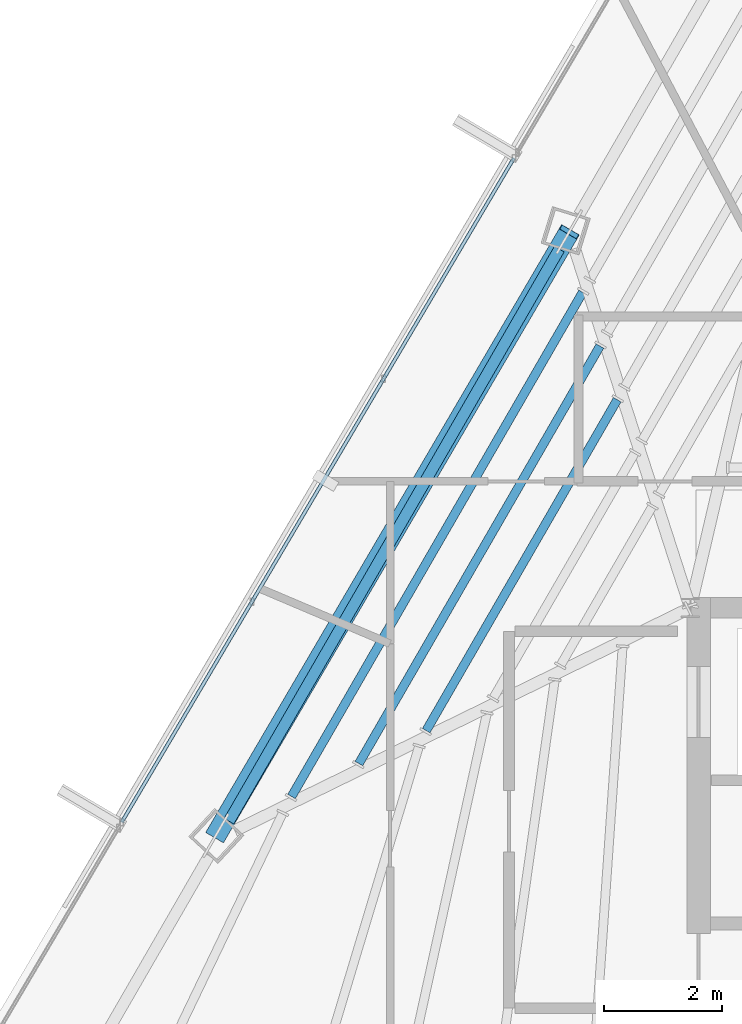
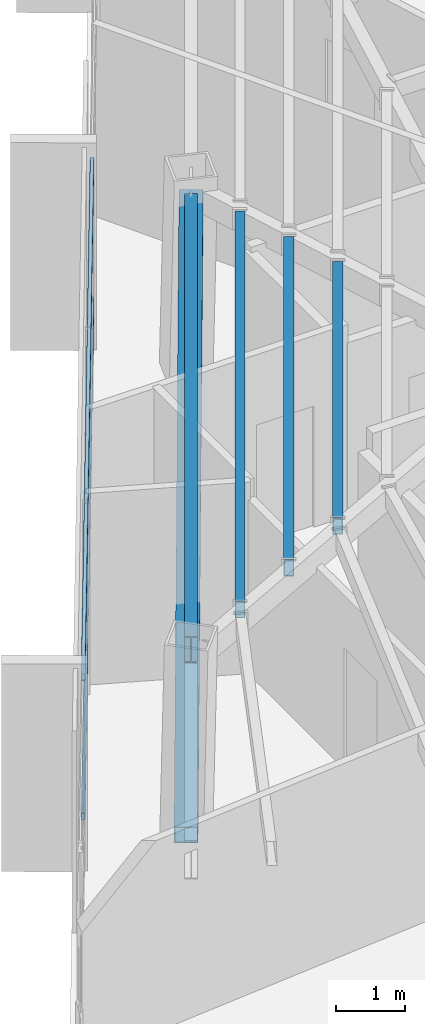
# One storey, part 16 of 45: 4 beams, 3 members, 1 element without a shape of its own.
"""IFC4 building model written with IfcOpenShell, lengths in metres."""

from ifc_helpers import new_model, si_unit, direction, frame, origin, origin_2d, place, context, subcontext, project, spatial, hollow_rectangle, i_section, extrude, source, transform, mapped, material, material_profile, profile_set, type_object, type_shapes, element, aggregate, save


model = new_model("IFC4")

# Units and contexts
model_context = context("Model", 3, precision=1e-05, world=origin(), true_north=direction((0.0, 1.0)))
body_context = subcontext(model_context, "Body", "Model", "MODEL_VIEW")
ifc_project = project(units=[si_unit("LENGTHUNIT", "METRE"), si_unit("AREAUNIT", "SQUARE_METRE"), si_unit("VOLUMEUNIT", "CUBIC_METRE"), si_unit("PLANEANGLEUNIT", "RADIAN"), si_unit("MASSUNIT", "GRAM", prefix="KILO")], contexts=[model_context])

# Site, building, storey
site_placement = place(None, origin())
site = spatial("IfcSite", under=ifc_project, at=site_placement, CompositionType="ELEMENT")
building_placement = place(site_placement, origin())
building = spatial("IfcBuilding", under=site, at=building_placement, Name="Caelisora Broadcast Tower", CompositionType="ELEMENT")
storey_placement = place(building_placement, frame((0.0, 0.0, 262.699951171875)))
storey = spatial("IfcBuildingStorey", under=building, at=storey_placement, Name="L69", CompositionType="ELEMENT", Elevation=262.699951171875)

# Beams
ifc_material_1 = material(Name="Steel Grade 350 (AS/NZS 3679.1)", Category="steel")
ifc_material_profile_1 = material_profile(ifc_material_1, i_section(OverallWidth=0.19091796875, OverallDepth=0.46044921875, WebThickness=0.010009765625, FlangeThickness=0.01611328125, at=origin_2d()), Name="Steel Grade 350 (AS/NZS 3679.1)")
ifc_profile_set_1 = profile_set([ifc_material_profile_1], Name="Steel Grade 350 (AS/NZS 3679.1)")
beam_type_1 = type_object("IfcBeamType", Name="PG06", PredefinedType="BEAM", material=ifc_profile_set_1)
shared_shape_1 = source(origin(), body_context, "Body", "SweptSolid", [
    extrude(i_section(OverallWidth=0.19091796875, OverallDepth=0.46044921875, WebThickness=0.010009765625, FlangeThickness=0.01611328125, at=origin_2d()), origin(), (0.0, 0.0, 1.0), 11.22265625),
])
type_shapes(beam_type_1, [shared_shape_1])
beam_1_placement = place(storey_placement, frame((28.2734375, 36.094970703125, 3.169921875), z_axis=(-0.500004293243, -0.866022925065, 0.0), x_axis=(0.866022925065, -0.500004293243, 0.0)))
element("IfcBeam", 1, at=beam_1_placement, inside=storey, type_object=beam_type_1, Name="L69 beam PG06", PredefinedType="BEAM", context=body_context, shape_type="MappedRepresentation", body=[
    mapped(shared_shape_1, transform((0.0, 0.0, 0.0), scale=1.0)),
])
ifc_material_2 = material(Name="Steel Grade 350 (AS/NZS 1163 C350L0)", Category="steel")
ifc_material_profile_2 = material_profile(ifc_material_2, hollow_rectangle(XDim=0.14990234375, YDim=0.300048828125, WallThickness=0.010009765625, at=origin_2d()), Name="Steel Grade 350 (AS/NZS 1163 C350L0)")
ifc_profile_set_2 = profile_set([ifc_material_profile_2], Name="Steel Grade 350 (AS/NZS 1163 C350L0)")
beam_type_2 = type_object("IfcBeamType", Name="SB05", PredefinedType="JOIST", material=ifc_profile_set_2)
shared_shape_2 = source(origin(), body_context, "Body", "SweptSolid", [
    extrude(hollow_rectangle(XDim=0.14990234375, YDim=0.300048828125, WallThickness=0.010009765625, at=origin_2d()), origin(), (0.0, 0.0, 1.0), 6.4912109375),
])
beam_2_placement = place(storey_placement, frame((29.25830078125, 33.535888671875, 3.25), z_axis=(-0.499998101639, -0.866026499801, 0.0), x_axis=(0.866026499801, -0.499998101639, 0.0)))
element("IfcBeam", 2, at=beam_2_placement, inside=storey, type_object=beam_type_2, Name="L69 beam SB05", PredefinedType="JOIST", context=body_context, shape_type="MappedRepresentation", body=[
    mapped(shared_shape_2, transform((0.0, 0.0, 0.0), scale=1.0)),
])
shared_shape_3 = source(origin(), body_context, "Body", "SweptSolid", [
    extrude(hollow_rectangle(XDim=0.14990234375, YDim=0.300048828125, WallThickness=0.010009765625, at=origin_2d()), origin(), (0.0, 0.0, 1.0), 8.19091796875),
])
beam_3_placement = place(storey_placement, frame((28.96435546875, 34.448486328125, 3.25), z_axis=(-0.500001965626, -0.866024268927, 0.0), x_axis=(0.866024268927, -0.500001965626, 0.0)))
element("IfcBeam", 3, at=beam_3_placement, inside=storey, type_object=beam_type_2, Name="L69 beam SB05", PredefinedType="JOIST", context=body_context, shape_type="MappedRepresentation", body=[
    mapped(shared_shape_3, transform((0.0, 0.0, 0.0), scale=1.0)),
])
shared_shape_4 = source(origin(), body_context, "Body", "SweptSolid", [
    extrude(hollow_rectangle(XDim=0.14990234375, YDim=0.300048828125, WallThickness=0.010009765625, at=origin_2d()), origin(), (0.0, 0.0, 1.0), 9.890625),
])
type_shapes(beam_type_2, [shared_shape_2, shared_shape_3, shared_shape_4])
beam_4_placement = place(storey_placement, frame((28.67041015625, 35.36083984375, 3.25), z_axis=(-0.500004501584, -0.866022804778, 0.0), x_axis=(0.866022804778, -0.500004501584, 0.0)))
element("IfcBeam", 4, at=beam_4_placement, inside=storey, type_object=beam_type_2, Name="L69 beam SB05", PredefinedType="JOIST", context=body_context, shape_type="MappedRepresentation", body=[
    mapped(shared_shape_4, transform((0.0, 0.0, 0.0), scale=1.0)),
])

# Member
ifc_material_3 = material(Name="Steel Grade 450 (AS/NZS 1163 C450L0)", Category="steel")
ifc_material_profile_3 = material_profile(ifc_material_3, hollow_rectangle(XDim=0.35009765625, YDim=0.35009765625, WallThickness=0.012451171875, at=origin_2d()), Name="Steel Grade 450 (AS/NZS 1163 C450L0)")
ifc_profile_set_3 = profile_set([ifc_material_profile_3], Name="Steel Grade 450 (AS/NZS 1163 C450L0)")
member_type_1 = type_object("IfcMemberType", Name="BR05", PredefinedType="BRACE", material=ifc_profile_set_3)
shared_shape_5 = source(origin(), body_context, "Body", "SweptSolid", [
    extrude(hollow_rectangle(XDim=0.35009765625, YDim=0.35009765625, WallThickness=0.012451171875, at=origin_2d()), origin(), (0.0, 0.0, 1.0), 12.25537109375),
])
type_shapes(member_type_1, [shared_shape_5])
member_1_placement = place(storey_placement, frame((28.4423828125, 36.3876953125, 3.10009765625), z_axis=(-0.489884252617, -0.836713777162, -0.244792716692), x_axis=(0.862969240145, -0.505256460189, 0.0)))
element("IfcMember", 5, at=member_1_placement, inside=storey, type_object=member_type_1, Name="L69 perimeter brace BR05", PredefinedType="BRACE", context=body_context, shape_type="MappedRepresentation", body=[
    mapped(shared_shape_5, transform((0.0, 0.0, 0.0), scale=1.0)),
])

# Curtain wall, members
ifc_material_4 = material(Name="Unitised Aluminium Insulated Shadow-Box Spandrel Curtain Wall", Category="aluminium")
curtain_wall_type = type_object("IfcCurtainWallType", Name="CW-SP3", PredefinedType="NOTDEFINED", material=ifc_material_4)
curtain_wall_placement = place(storey_placement, origin())
curtain_wall = element("IfcCurtainWall", 6, at=curtain_wall_placement, inside=storey, type_object=curtain_wall_type, Name="L69 curtain wall CW-SP3", PredefinedType="NOTDEFINED")
ifc_material_5 = material(Name="Aluminium 6063-T6 Anodised Terracotta Bronze", Category="aluminium")
ifc_material_profile_4 = material_profile(ifc_material_5, hollow_rectangle(XDim=0.06005859375, YDim=0.1201171875, WallThickness=0.0029296875, at=origin_2d()), Name="Aluminium 6063-T6 Anodised Terracotta Bronze")
ifc_profile_set_4 = profile_set([ifc_material_profile_4], Name="Aluminium 6063-T6 Anodised Terracotta Bronze")
member_type_2 = type_object("IfcMemberType", Name="CWT-03", PredefinedType="USERDEFINED", material=ifc_profile_set_4)
shared_shape_6 = source(origin(), body_context, "Body", "SweptSolid", [
    extrude(hollow_rectangle(XDim=0.06005859375, YDim=0.1201171875, WallThickness=0.0029296875, at=origin_2d()), origin(), (0.0, 0.0, 1.0), 13.105224609375),
])
type_shapes(member_type_2, [shared_shape_6])
member_2_placement = place(storey_placement, frame((20.839599609375, 26.35791015625, 0.85009765625), z_axis=(0.508524689, 0.861047409077, 0.0), x_axis=(-0.861047409077, 0.508524689, 0.0)))
member_2 = element("IfcMember", 7, at=member_2_placement, type_object=member_type_2, Name="L69-CW-B10 transom #1", ObjectType="TRANSOM", PredefinedType="USERDEFINED", context=body_context, shape_type="MappedRepresentation", body=[
    mapped(shared_shape_6, transform((0.0, 0.0, 0.0), scale=1.0)),
])
member_3_placement = place(storey_placement, frame((20.839599609375, 26.35791015625, 3.320068359375), z_axis=(0.508524689, 0.861047409077, 0.0), x_axis=(-0.861047409077, 0.508524689, 0.0)))
member_3 = element("IfcMember", 8, at=member_3_placement, type_object=member_type_2, Name="L69-CW-B10 transom #2", ObjectType="TRANSOM", PredefinedType="USERDEFINED", context=body_context, shape_type="MappedRepresentation", body=[
    mapped(shared_shape_6, transform((0.0, 0.0, 0.0), scale=1.0)),
])
aggregate(curtain_wall, [member_2, member_3])

save(model, "model.ifc")
